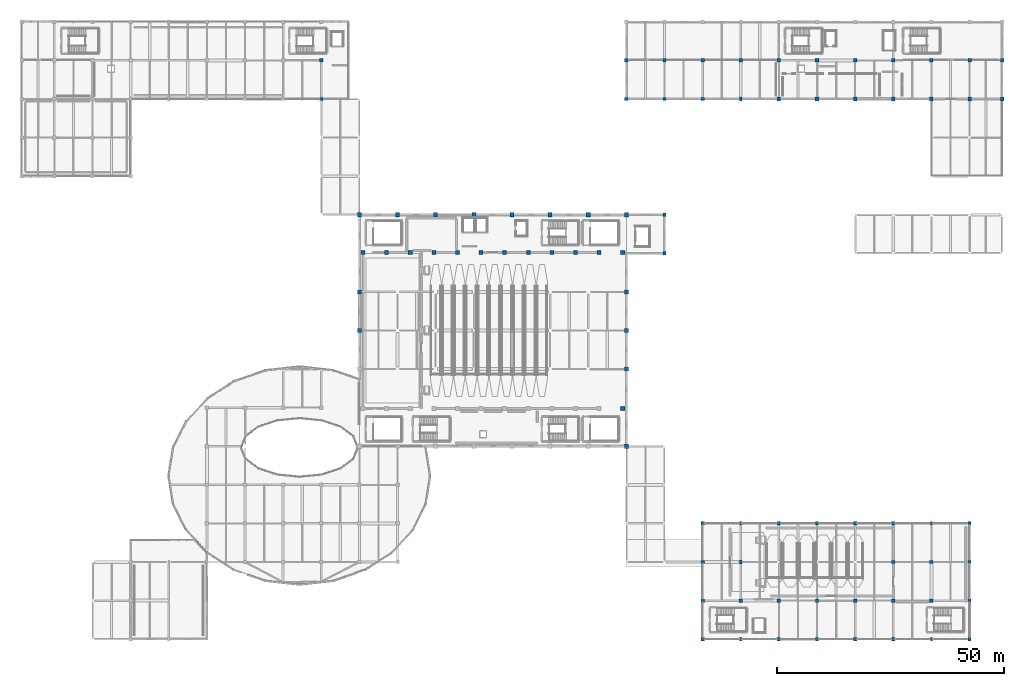
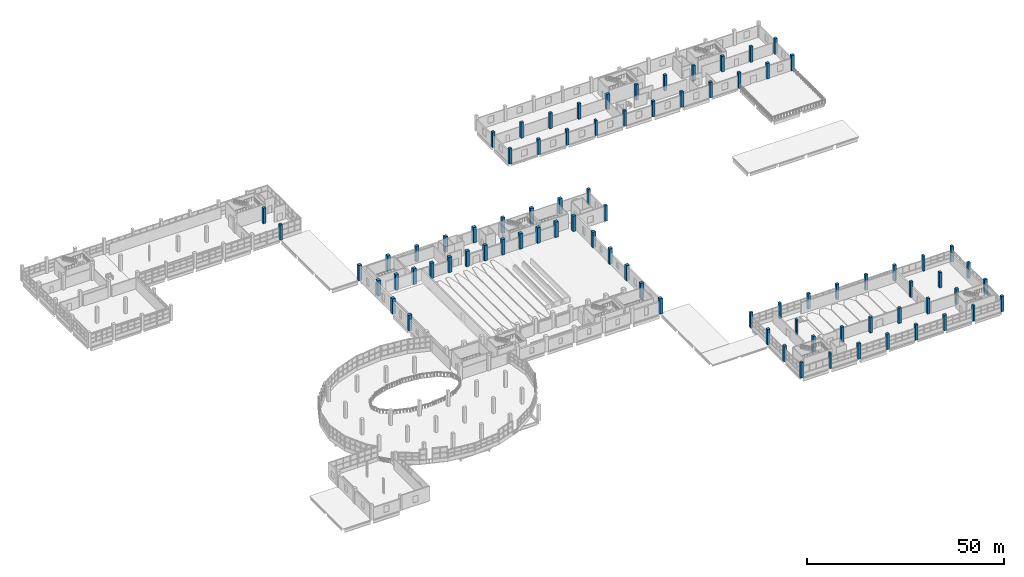
# One storey, part 4 of 117: 82 columns.
"""IFC4 building model written with IfcOpenShell, lengths in metres."""

import ifcopenshell
import ifcopenshell.guid

model = None  # the IFC model being written
_history = None  # IfcOwnerHistory: only IFC2X3 demands one
_inside = {}  # id of a spatial element -> (the spatial element, [elements in it])
_under = {}  # id of a project, library or spatial element -> (it, [spatial elements below it])
_declared = {}  # id of a project -> (the project, [libraries it declares])
_typed = {}  # id of a type object -> (the type object, [elements of that type])
_made_of = {}  # id of a material, layer set ... -> (it, [elements and type objects made of it])


def new_model(schema):
    """Start an empty IFC model of exactly this schema.

    Asked for "IFC4X3", IfcOpenShell would pick the latest addendum, in which some entities
    have other attributes; the version numbers below select the first issue.
    IFC2X3 requires an IfcOwnerHistory on every rooted entity: one is made here for all.
    """
    global model, _history
    if schema == "IFC4X3":
        model = ifcopenshell.file(schema_version=(4, 3, 0, 0))
    else:
        model = ifcopenshell.file(schema=schema)
    _inside.clear()
    _under.clear()
    _declared.clear()
    _typed.clear()
    _made_of.clear()
    _history = None
    if model.schema == "IFC2X3":
        org = make("IfcOrganization", Name="unknown")
        user = make(
            "IfcPersonAndOrganization",
            ThePerson=make("IfcPerson", FamilyName="unknown"),
            TheOrganization=org,
        )
        app = make(
            "IfcApplication",
            ApplicationDeveloper=org,
            Version="unknown",
            ApplicationFullName="unknown",
            ApplicationIdentifier="unknown",
        )
        _history = make(
            "IfcOwnerHistory",
            OwningUser=user,
            OwningApplication=app,
            ChangeAction="ADDED",
            CreationDate=0,
        )
    return model


def make(cls, **values):
    """One entity of the class cls with the attributes given. An attribute that is None is left unset."""
    return model.create_entity(
        cls, **{name: value for name, value in values.items() if value is not None}
    )


def rooted(cls, **values):
    """An entity with a GlobalId (a new one), such as an element, a storey or a relation."""
    return make(cls, GlobalId=ifcopenshell.guid.new(), OwnerHistory=_history, **values)


def si_unit(unit_type, name, prefix=None):
    """IfcSIUnit, for example si_unit("LENGTHUNIT", "METRE", prefix="MILLI")."""
    return make("IfcSIUnit", UnitType=unit_type, Prefix=prefix, Name=name)


def assignment(units):
    """IfcUnitAssignment: the units of a project."""
    return None if units is None else make("IfcUnitAssignment", Units=units)


def point(xyz):
    """IfcCartesianPoint."""
    return None if xyz is None else make("IfcCartesianPoint", Coordinates=xyz)


def direction(xyz):
    """IfcDirection."""
    return None if xyz is None else make("IfcDirection", DirectionRatios=xyz)


def frame(location, z_axis=None, x_axis=None):
    """IfcAxis2Placement3D, a coordinate frame: its origin and axes. An axis left out is left unset."""
    return make(
        "IfcAxis2Placement3D",
        Location=point(location),
        Axis=direction(z_axis),
        RefDirection=direction(x_axis),
    )


def frame_2d(location, x_axis=None):
    """IfcAxis2Placement2D, a coordinate frame in the plane: its origin and x axis."""
    return make(
        "IfcAxis2Placement2D", Location=point(location), RefDirection=direction(x_axis)
    )


def origin():
    """The frame at (0, 0, 0) with its axes left unset."""
    return frame((0.0, 0.0, 0.0))


def origin_2d():
    """The frame at (0, 0) in the plane with its x axis left unset."""
    return frame_2d((0.0, 0.0))


def place(relative_to, where):
    """IfcLocalPlacement: puts the frame where relative to a parent placement (None: the world)."""
    return make(
        "IfcLocalPlacement", PlacementRelTo=relative_to, RelativePlacement=where
    )


def context(
    kind, dimensions, precision=None, world=None, true_north=None, identifier=None
):
    """IfcGeometricRepresentationContext, for example the 3D "Model" context."""
    return make(
        "IfcGeometricRepresentationContext",
        ContextIdentifier=identifier,
        ContextType=kind,
        CoordinateSpaceDimension=dimensions,
        Precision=precision,
        WorldCoordinateSystem=world,
        TrueNorth=true_north,
    )


def subcontext(parent, identifier, kind, view, scale=None):
    """IfcGeometricRepresentationSubContext, for example "Body" below "Model"."""
    return make(
        "IfcGeometricRepresentationSubContext",
        ContextIdentifier=identifier,
        ContextType=kind,
        ParentContext=parent,
        TargetScale=scale,
        TargetView=view,
    )


def project(units=None, contexts=None):
    """IfcProject with its units and contexts."""
    return rooted(
        "IfcProject",
        Name="project",
        RepresentationContexts=contexts,
        UnitsInContext=assignment(units),
    )


def spatial(cls, under=None, at=None, **own):
    """A site, building, storey or space (cls), placed at a placement, below another one or the project."""
    s = rooted(cls, ObjectPlacement=at, **own)
    if under is not None:
        _under.setdefault(under.id(), (under, []))[1].append(s)
    return s


def profile(cls, at=None, kind="AREA", **sizes):
    """A parametric profile (cls). Its sizes go by their IFC names, for example OverallWidth=200.0."""
    return make(cls, ProfileType=kind, Position=at, **sizes)


def rectangle(**sizes):
    """IfcRectangleProfileDef."""
    return profile("IfcRectangleProfileDef", **sizes)


def extrude(swept, where, along, depth):
    """IfcExtrudedAreaSolid: the profile swept, set in the frame where, extruded along a direction by depth."""
    return make(
        "IfcExtrudedAreaSolid",
        SweptArea=swept,
        Position=where,
        ExtrudedDirection=direction(along),
        Depth=depth,
    )


def shape(context_of_items, identifier, shape_type, items):
    """IfcShapeRepresentation: the items that make up one representation, for example the "Body"."""
    return make(
        "IfcShapeRepresentation",
        ContextOfItems=context_of_items,
        RepresentationIdentifier=identifier,
        RepresentationType=shape_type,
        Items=items,
    )


def material(Name=None, Category=None):
    """IfcMaterial."""
    return make("IfcMaterial", Name=Name, Category=Category)


def material_profile(
    of_material, cross_section, Name=None, Category=None, Priority=None
):
    """IfcMaterialProfile: a cross section and its material."""
    return make(
        "IfcMaterialProfile",
        Name=Name,
        Material=of_material,
        Profile=cross_section,
        Priority=Priority,
        Category=Category,
    )


def profile_set(profiles, Name=None, composite=None):
    """IfcMaterialProfileSet."""
    return make(
        "IfcMaterialProfileSet",
        Name=Name,
        MaterialProfiles=profiles,
        CompositeProfile=composite,
    )


def made_of(thing, what):
    """Note that an element or type object is made of a material, layer set ...; save() writes the relation."""
    if what is not None:
        _made_of.setdefault(what.id(), (what, []))[1].append(thing)
    return thing


def type_object(cls, material=None, **own):
    """A type object (cls), such as IfcWallType, which elements share."""
    return made_of(rooted(cls, **own), material)


def element(
    cls,
    number,
    at=None,
    inside=None,
    cuts=None,
    type_object=None,
    material=None,
    context=None,
    identifier="Body",
    shape_type=None,
    held_by="IfcProductDefinitionShape",
    body=None,
    shapes=None,
    **own,
):
    """One element of the class cls, such as IfcWall. Its Tag is "e" and its number.

    at: its placement. inside: the storey or other place that contains it. cuts: it is an
    opening in that element (IfcRelVoidsElement). A single representation is given by context,
    identifier, shape_type and body (its items); several are given by shapes. held_by: the class
    of the entity that holds the representations. save() writes the other relations.
    """
    e = rooted(cls, Tag="e%d" % number, ObjectPlacement=at, **own)
    if body is not None:
        shapes = [shape(context, identifier, shape_type, body)]
    if shapes is not None:
        e.Representation = make(held_by, Representations=shapes)
    if inside is not None:
        _inside.setdefault(inside.id(), (inside, []))[1].append(e)
    if cuts is not None:
        rooted(
            "IfcRelVoidsElement", RelatingBuildingElement=cuts, RelatedOpeningElement=e
        )
    if type_object is not None:
        _typed.setdefault(type_object.id(), (type_object, []))[1].append(e)
    return made_of(e, material)


def aggregate(whole, parts):
    """IfcRelAggregates: a whole, such as a stair, and the parts it consists of."""
    return rooted("IfcRelAggregates", RelatingObject=whole, RelatedObjects=parts)


def save(model, path):
    """Write the relations noted so far, then the file.

    IfcRelAggregates (storeys below a building ...), IfcRelContainedInSpatialStructure (elements
    in a storey), IfcRelDefinesByType, IfcRelAssociatesMaterial and IfcRelDeclares: one each for
    every whole, place, type object, material and project.
    """
    for whole, parts in _under.values():
        aggregate(whole, parts)
    for where, things in _inside.values():
        rooted(
            "IfcRelContainedInSpatialStructure",
            RelatedElements=things,
            RelatingStructure=where,
        )
    for kind, things in _typed.values():
        rooted("IfcRelDefinesByType", RelatedObjects=things, RelatingType=kind)
    for what, things in _made_of.values():
        rooted("IfcRelAssociatesMaterial", RelatedObjects=things, RelatingMaterial=what)
    for by, libraries in _declared.values():
        rooted("IfcRelDeclares", RelatingContext=by, RelatedDefinitions=libraries)
    model.write(path)


model = new_model("IFC4")

# Units and contexts
model_context = context("Model", 3, precision=1e-05, world=origin(), true_north=direction((0.0, 1.0)))
body_context = subcontext(model_context, "Body", "Model", "MODEL_VIEW")
ifc_project = project(units=[si_unit("LENGTHUNIT", "METRE"), si_unit("AREAUNIT", "SQUARE_METRE"), si_unit("VOLUMEUNIT", "CUBIC_METRE"), si_unit("PLANEANGLEUNIT", "RADIAN"), si_unit("MASSUNIT", "GRAM", prefix="KILO")], contexts=[model_context])

# Site, building, storey
site_placement = place(None, origin())
site = spatial("IfcSite", under=ifc_project, at=site_placement, CompositionType="ELEMENT")
building_placement = place(site_placement, origin())
building = spatial("IfcBuilding", under=site, at=building_placement, Name="Solvento Point Concert Hall", CompositionType="ELEMENT")
storey_placement = place(building_placement, frame((0.0, 0.0, 5.39990234375)))
storey = spatial("IfcBuildingStorey", under=building, at=storey_placement, Name="L01", CompositionType="ELEMENT", Elevation=5.39990234375)

# Columns
ifc_material_1 = material(Name="Concrete C40/50", Category="concrete")
ifc_material_profile_1 = material_profile(ifc_material_1, rectangle(XDim=0.75, YDim=0.75, at=origin_2d()), Name="RC-COL-750X750")
ifc_profile_set_1 = profile_set([ifc_material_profile_1], Name="Concrete C40/50")
column_type_1 = type_object("IfcColumnType", Name="Col_RC_750", PredefinedType="COLUMN", material=ifc_profile_set_1)
for number, where, z_axis, x_axis, name in (
    (1, (66.0, 119.0, 0.0), (0.0, 0.0, 1.0), (1.0, 0.0, 0.0), "Column C-29 09/Q L01"),
    (2, (66.0, 127.5, 0.0), (0.0, 0.0, 1.0), (1.0, 0.0, 0.0), "Column C-29 09/R L01"),
    (3, (133.199951171875, 119.0, 0.0), (0.0, 0.0, 1.0), (1.0, 0.0, 0.0), "Column C-29 17/Q L01"),
    (4, (133.199951171875, 127.5, 0.0), (0.0, 0.0, 1.0), (1.0, 0.0, 0.0), "Column C-29 17/R L01"),
    (5, (141.60009765625, 85.0, 0.0), (0.0, 0.0, 1.0), (1.0, 0.0, 0.0), "Column C-29 18/L L01"),
    (6, (141.60009765625, 93.5, 0.0), (0.0, 0.0, 1.0), (1.0, 0.0, 0.0), "Column C-29 18/M L01"),
    (7, (141.60009765625, 119.0, 0.0), (0.0, 0.0, 1.0), (1.0, 0.0, 0.0), "Column C-29 18/Q L01"),
    (8, (141.60009765625, 127.5, 0.0), (0.0, 0.0, 1.0), (1.0, 0.0, 0.0), "Column C-29 18/R L01"),
    (9, (150.0, 0.0, 0.0), (0.0, 0.0, 1.0), (1.0, 0.0, 0.0), "Column C-29 19/A L01"),
    (10, (150.0, 8.5, 0.0), (0.0, 0.0, 1.0), (1.0, 0.0, 0.0), "Column C-29 19/B L01"),
    (11, (150.0, 17.0, 0.0), (0.0, 0.0, 1.0), (1.0, 0.0, 0.0), "Column C-29 19/C L01"),
    (12, (150.0, 25.5, 0.0), (0.0, 0.0, 1.0), (1.0, 0.0, 0.0), "Column C-29 19/D L01"),
    (13, (150.0, 119.0, 0.0), (0.0, 0.0, 1.0), (1.0, 0.0, 0.0), "Column C-29 19/Q L01"),
    (14, (150.0, 127.5, 0.0), (0.0, 0.0, 1.0), (1.0, 0.0, 0.0), "Column C-29 19/R L01"),
    (15, (158.39990234375, 8.5, 0.0), (0.0, 0.0, 1.0), (1.0, 0.0, 0.0), "Column C-29 20/B L01"),
    (16, (158.39990234375, 127.5, 0.0), (0.0, 0.0, 1.0), (1.0, 0.0, 0.0), "Column C-29 20/R L01"),
    (17, (166.800048828125, 0.0, 0.0), (0.0, 0.0, 1.0), (1.0, 0.0, 0.0), "Column C-29 21/A L01"),
    (18, (166.800048828125, 8.5, 0.0), (0.0, 0.0, 1.0), (1.0, 0.0, 0.0), "Column C-29 21/B L01"),
    (19, (166.800048828125, 25.5, 0.0), (0.0, 0.0, 1.0), (1.0, 0.0, 0.0), "Column C-29 21/D L01"),
    (20, (175.199951171875, 0.0, 0.0), (0.0, 0.0, 1.0), (1.0, 0.0, 0.0), "Column C-29 22/A L01"),
    (21, (175.199951171875, 8.5, 0.0), (0.0, 0.0, 1.0), (1.0, 0.0, 0.0), "Column C-29 22/B L01"),
    (22, (175.199951171875, 25.5, 0.0), (0.0, 0.0, 1.0), (1.0, 0.0, 0.0), "Column C-29 22/D L01"),
    (23, (183.60009765625, 0.0, 0.0), (0.0, 0.0, 1.0), (1.0, 0.0, 0.0), "Column C-29 23/A L01"),
    (24, (183.60009765625, 8.5, 0.0), (0.0, 0.0, 1.0), (1.0, 0.0, 0.0), "Column C-29 23/B L01"),
    (25, (183.60009765625, 25.5, 0.0), (0.0, 0.0, 1.0), (1.0, 0.0, 0.0), "Column C-29 23/D L01"),
    (26, (192.0, 0.0, 0.0), (0.0, 0.0, 1.0), (1.0, 0.0, 0.0), "Column C-29 24/A L01"),
    (27, (192.0, 8.5, 0.0), (0.0, 0.0, 1.0), (1.0, 0.0, 0.0), "Column C-29 24/B L01"),
    (28, (192.0, 17.0, 0.0), (0.0, 0.0, 1.0), (1.0, 0.0, 0.0), "Column C-29 24/C L01"),
    (29, (192.0, 25.5, 0.0), (0.0, 0.0, 1.0), (1.0, 0.0, 0.0), "Column C-29 24/D L01"),
    (30, (200.39990234375, 8.5, 0.0), (0.0, 0.0, 1.0), (1.0, 0.0, 0.0), "Column C-29 25/B L01"),
    (31, (200.39990234375, 17.0, 0.0), (0.0, 0.0, 1.0), (1.0, 0.0, 0.0), "Column C-29 25/C L01"),
    (32, (208.800048828125, 0.0, 0.0), (0.0, 0.0, 1.0), (1.0, 0.0, 0.0), "Column C-29 26/A L01"),
    (33, (208.800048828125, 8.5, 0.0), (0.0, 0.0, 1.0), (1.0, 0.0, 0.0), "Column C-29 26/B L01"),
    (34, (208.800048828125, 17.0, 0.0), (0.0, 0.0, 1.0), (1.0, 0.0, 0.0), "Column C-29 26/C L01"),
    (35, (208.800048828125, 25.5, 0.0), (0.0, 0.0, 1.0), (1.0, 0.0, 0.0), "Column C-29 26/D L01"),
):
    element("IfcColumn", number, at=place(storey_placement, frame(where, z_axis=z_axis, x_axis=x_axis)), inside=storey, type_object=column_type_1, Name=name, PredefinedType="COLUMN", context=body_context, shape_type="SweptSolid", body=[
        extrude(rectangle(XDim=0.75, YDim=0.75, at=origin_2d()), origin(), (0.0, 0.0, 1.0), 4.800048828125),
    ])
ifc_material_2 = material(Name="Concrete C40/50", Category="concrete")
ifc_material_profile_2 = material_profile(ifc_material_2, rectangle(XDim=0.780029296875, YDim=0.780029296875, at=origin_2d()), Name="RC-COL-780X780")
ifc_profile_set_2 = profile_set([ifc_material_profile_2], Name="Concrete C40/50")
column_type_2 = type_object("IfcColumnType", Name="Col_RC_780", PredefinedType="COLUMN", material=ifc_profile_set_2)
for number, where, z_axis, x_axis, name in (
    (36, (166.800048828125, 119.0, 0.0), (0.0, 0.0, 1.0), (1.0, 0.0, 0.0), "Column C-54 21/Q L01"),
    (37, (166.800048828125, 127.5, 0.0), (0.0, 0.0, 1.0), (1.0, 0.0, 0.0), "Column C-54 21/R L01"),
    (38, (175.199951171875, 119.0, 0.0), (0.0, 0.0, 1.0), (1.0, 0.0, 0.0), "Column C-54 22/Q L01"),
    (39, (175.199951171875, 127.5, 0.0), (0.0, 0.0, 1.0), (1.0, 0.0, 0.0), "Column C-54 22/R L01"),
    (40, (183.60009765625, 119.0, 0.0), (0.0, 0.0, 1.0), (1.0, 0.0, 0.0), "Column C-54 23/Q L01"),
    (41, (183.60009765625, 127.5, 0.0), (0.0, 0.0, 1.0), (1.0, 0.0, 0.0), "Column C-54 23/R L01"),
    (42, (192.0, 119.0, 0.0), (0.0, 0.0, 1.0), (1.0, 0.0, 0.0), "Column C-54 24/Q L01"),
    (43, (192.0, 127.5, 0.0), (0.0, 0.0, 1.0), (1.0, 0.0, 0.0), "Column C-54 24/R L01"),
    (44, (200.39990234375, 119.0, 0.0), (0.0, 0.0, 1.0), (1.0, 0.0, 0.0), "Column C-54 25/Q L01"),
    (45, (200.39990234375, 127.5, 0.0), (0.0, 0.0, 1.0), (1.0, 0.0, 0.0), "Column C-54 25/R L01"),
    (46, (208.800048828125, 119.0, 0.0), (0.0, 0.0, 1.0), (1.0, 0.0, 0.0), "Column C-54 26/Q L01"),
    (47, (208.800048828125, 127.5, 0.0), (0.0, 0.0, 1.0), (1.0, 0.0, 0.0), "Column C-54 26/R L01"),
    (48, (216.0, 119.0, 0.0), (0.0, 0.0, 1.0), (1.0, 0.0, 0.0), "Column C-54 27/Q L01"),
    (49, (216.0, 127.5, 0.0), (0.0, 0.0, 1.0), (1.0, 0.0, 0.0), "Column C-54 27/R L01"),
):
    element("IfcColumn", number, at=place(storey_placement, frame(where, z_axis=z_axis, x_axis=x_axis)), inside=storey, type_object=column_type_2, Name=name, PredefinedType="COLUMN", context=body_context, shape_type="SweptSolid", body=[
        extrude(rectangle(XDim=0.780029296875, YDim=0.780029296875, at=origin_2d()), origin(), (0.0, 0.0, 1.0), 4.800048828125),
    ])
ifc_material_3 = material(Name="Concrete C40/50", Category="concrete")
ifc_material_profile_3 = material_profile(ifc_material_3, rectangle(XDim=0.89990234375, YDim=0.89990234375, at=origin_2d()), Name="RC-COL-900X900")
ifc_profile_set_3 = profile_set([ifc_material_profile_3], Name="Concrete C40/50")
column_type_3 = type_object("IfcColumnType", Name="Col_RC_900", PredefinedType="COLUMN", material=ifc_profile_set_3)
for number, where, z_axis, x_axis, name in (
    (50, (74.39990234375, 68.0, 0.0), (0.0, 0.0, 1.0), (1.0, 0.0, 0.0), "Column C-14 10/J L01"),
    (51, (74.39990234375, 76.5, 0.0), (0.0, 0.0, 1.0), (1.0, 0.0, 0.0), "Column C-14 10/K L01"),
    (52, (74.39990234375, 93.5, 0.0), (0.0, 0.0, 1.0), (1.0, 0.0, 0.0), "Column C-14 10/M L01"),
    (53, (82.800048828125, 93.5, 0.0), (0.0, 0.0, 1.0), (1.0, 0.0, 0.0), "Column C-14 11/M L01"),
    (54, (91.199951171875, 93.5, 0.0), (0.0, 0.0, 1.0), (1.0, 0.0, 0.0), "Column C-14 12/M L01"),
    (55, (99.60009765625, 93.5, 0.0), (0.0, 0.0, 1.0), (1.0, 0.0, 0.0), "Column C-14 13/M L01"),
    (56, (108.0, 93.5, 0.0), (0.0, 0.0, 1.0), (1.0, 0.0, 0.0), "Column C-14 14/M L01"),
    (57, (116.39990234375, 93.5, 0.0), (0.0, 0.0, 1.0), (1.0, 0.0, 0.0), "Column C-14 15/M L01"),
    (58, (124.800048828125, 93.5, 0.0), (0.0, 0.0, 1.0), (1.0, 0.0, 0.0), "Column C-14 16/M L01"),
    (59, (133.199951171875, 42.5, 0.0), (0.0, 0.0, 1.0), (1.0, 0.0, 0.0), "Column C-14 17/F L01"),
    (60, (133.199951171875, 59.5, 0.0), (0.0, 0.0, 1.0), (1.0, 0.0, 0.0), "Column C-14 17/H L01"),
    (61, (133.199951171875, 68.0, 0.0), (0.0, 0.0, 1.0), (1.0, 0.0, 0.0), "Column C-14 17/J L01"),
    (62, (133.199951171875, 76.5, 0.0), (0.0, 0.0, 1.0), (1.0, 0.0, 0.0), "Column C-14 17/K L01"),
    (63, (133.199951171875, 93.5, 0.0), (0.0, 0.0, 1.0), (1.0, 0.0, 0.0), "Column C-14 17/M L01"),
    (64, (75.199951171875, 85.199951171875, 0.0), (0.0, 0.0, 1.0), (1.0, 0.0, 0.0), "Symphonic drum column C-14 DN01 L01"),
    (65, (80.39990234375, 85.199951171875, 0.0), (0.0, 0.0, 1.0), (1.0, 0.0, 0.0), "Symphonic drum column C-14 DN02 L01"),
    (66, (85.60009765625, 85.199951171875, 0.0), (0.0, 0.0, 1.0), (1.0, 0.0, 0.0), "Symphonic drum column C-14 DN03 L01"),
    (67, (90.800048828125, 85.199951171875, 0.0), (0.0, 0.0, 1.0), (1.0, 0.0, 0.0), "Symphonic drum column C-14 DN04 L01"),
    (68, (96.0, 85.199951171875, 0.0), (0.0, 0.0, 1.0), (1.0, 0.0, 0.0), "Symphonic drum column C-14 DN05 L01"),
    (69, (101.199951171875, 85.199951171875, 0.0), (0.0, 0.0, 1.0), (1.0, 0.0, 0.0), "Symphonic drum column C-14 DN06 L01"),
    (70, (106.39990234375, 85.199951171875, 0.0), (0.0, 0.0, 1.0), (1.0, 0.0, 0.0), "Symphonic drum column C-14 DN07 L01"),
    (71, (111.60009765625, 85.199951171875, 0.0), (0.0, 0.0, 1.0), (1.0, 0.0, 0.0), "Symphonic drum column C-14 DN08 L01"),
    (72, (116.800048828125, 85.199951171875, 0.0), (0.0, 0.0, 1.0), (1.0, 0.0, 0.0), "Symphonic drum column C-14 DN09 L01"),
    (73, (122.0, 85.199951171875, 0.0), (0.0, 0.0, 1.0), (1.0, 0.0, 0.0), "Symphonic drum column C-14 DN10 L01"),
    (74, (127.199951171875, 85.199951171875, 0.0), (0.0, 0.0, 1.0), (1.0, 0.0, 0.0), "Symphonic drum column C-14 DN11 L01"),
    (75, (132.39990234375, 50.800048828125, 0.0), (0.0, 0.0, 1.0), (1.0, 0.0, 0.0), "Symphonic drum column C-14 DS12 L01"),
    (76, (132.39990234375, 85.199951171875, 0.0), (0.0, 0.0, 1.0), (1.0, 0.0, 0.0), "Symphonic drum column C-14 DN12 L01"),
):
    element("IfcColumn", number, at=place(storey_placement, frame(where, z_axis=z_axis, x_axis=x_axis)), inside=storey, type_object=column_type_3, Name=name, PredefinedType="COLUMN", context=body_context, shape_type="SweptSolid", body=[
        extrude(rectangle(XDim=0.89990234375, YDim=0.89990234375, at=origin_2d()), origin(), (0.0, 0.0, 1.0), 4.800048828125),
    ])
ifc_material_4 = material(Name="Concrete C40/50", Category="concrete")
ifc_material_profile_4 = material_profile(ifc_material_4, rectangle(XDim=0.5, YDim=0.800048828125, at=origin_2d()), Name="RC-PIL-500X800")
ifc_profile_set_4 = profile_set([ifc_material_profile_4], Name="Concrete C40/50")
column_type_4 = type_object("IfcColumnType", Name="Pilaster_500x800", PredefinedType="PILASTER", material=ifc_profile_set_4)
for number, where, z_axis, x_axis, name in (
    (77, (158.39990234375, 0.0, 0.0), (0.0, 0.0, 1.0), (1.0, 0.0, 0.0), "Column C-70 20/A L01"),
    (78, (158.39990234375, 17.0, 0.0), (0.0, 0.0, 1.0), (1.0, 0.0, 0.0), "Column C-70 20/C L01"),
    (79, (158.39990234375, 25.5, 0.0), (0.0, 0.0, 1.0), (1.0, 0.0, 0.0), "Column C-70 20/D L01"),
    (80, (158.39990234375, 119.0, 0.0), (0.0, 0.0, 1.0), (1.0, 0.0, 0.0), "Column C-70 20/Q L01"),
    (81, (200.39990234375, 0.0, 0.0), (0.0, 0.0, 1.0), (1.0, 0.0, 0.0), "Column C-70 25/A L01"),
    (82, (200.39990234375, 25.5, 0.0), (0.0, 0.0, 1.0), (1.0, 0.0, 0.0), "Column C-70 25/D L01"),
):
    element("IfcColumn", number, at=place(storey_placement, frame(where, z_axis=z_axis, x_axis=x_axis)), inside=storey, type_object=column_type_4, Name=name, PredefinedType="PILASTER", context=body_context, shape_type="SweptSolid", body=[
        extrude(rectangle(XDim=0.5, YDim=0.800048828125, at=origin_2d()), origin(), (0.0, 0.0, 1.0), 4.800048828125),
    ])

save(model, "model.ifc")
